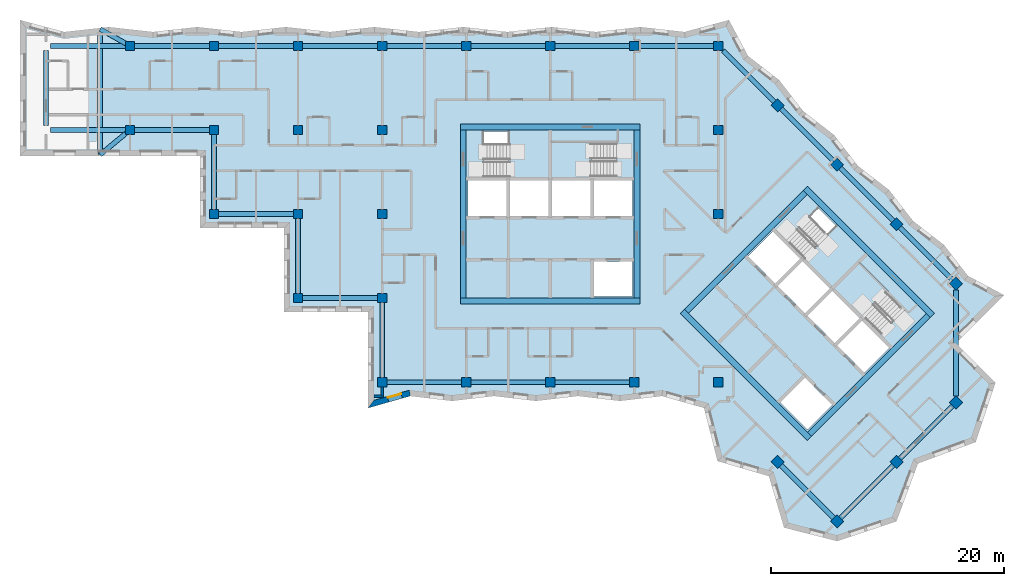
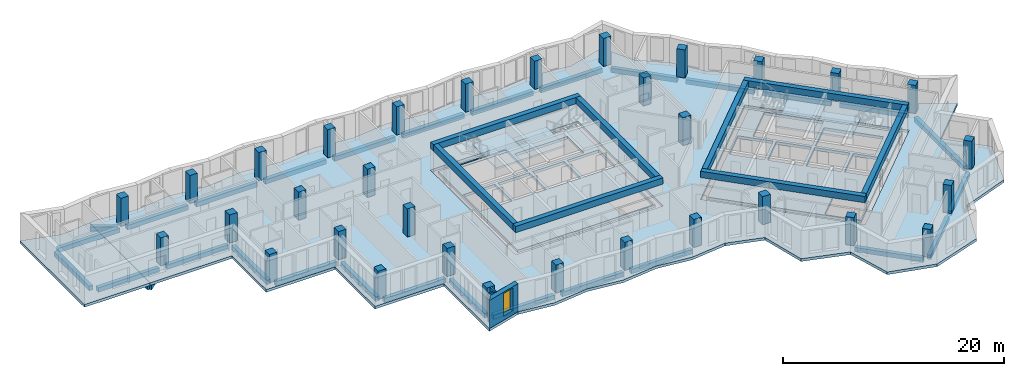
# One storey, part 1 of 13: 38 beams, 32 columns, 8 slabs, 3 walls, 1 window, 17 openings, 4 elements without a shape of their own.
"""IFC4 building model written with IfcOpenShell, lengths in metres."""

from ifc_helpers import new_model, si_unit, direction, frame, frame_2d, origin, origin_2d, place, context, subcontext, project, spatial, polyline, rectangle, outline, extrude, material, layer, layer_set, material_profile, profile_set, type_object, element, fill, aggregate, save


model = new_model("IFC4")

# Units and contexts
model_context = context("Model", 3, precision=1e-05, world=origin(), true_north=direction((0.0, 1.0)))
body_context = subcontext(model_context, "Body", "Model", "MODEL_VIEW")
ifc_project = project(units=[si_unit("LENGTHUNIT", "METRE"), si_unit("AREAUNIT", "SQUARE_METRE"), si_unit("VOLUMEUNIT", "CUBIC_METRE"), si_unit("PLANEANGLEUNIT", "RADIAN"), si_unit("MASSUNIT", "GRAM", prefix="KILO")], contexts=[model_context])

# Site, building, storey
site_placement = place(None, origin())
site = spatial("IfcSite", under=ifc_project, at=site_placement, CompositionType="ELEMENT")
building_placement = place(site_placement, origin())
building = spatial("IfcBuilding", under=site, at=building_placement, Name="Windrow Commons", CompositionType="ELEMENT")
storey_placement = place(building_placement, frame((0.0, 0.0, 203.2)))
storey = spatial("IfcBuildingStorey", under=building, at=storey_placement, Name="L55", CompositionType="ELEMENT", Elevation=203.2)

# Columns
ifc_material_1 = material(Name="Concrete C50/60", Category="concrete")
ifc_material_profile_1 = material_profile(ifc_material_1, rectangle(XDim=0.8, YDim=0.8, at=origin_2d()))
ifc_profile_set_1 = profile_set([ifc_material_profile_1], Name="Concrete C50/60")
column_type = type_object("IfcColumnType", Name="RC COLUMN 800x800 C50/60", PredefinedType="COLUMN", material=ifc_profile_set_1)
for number, where, z_axis, x_axis, name in (
    (1, (28.8, 64.8, 0.0), (0.0, 0.0, 1.0), (1.0, 0.0, 0.0), "C-Z4-05I"),
    (2, (28.8, 72.0, 0.0), (0.0, 0.0, 1.0), (1.0, 0.0, 0.0), "C-Z4-05J"),
    (3, (36.0, 57.6, 0.0), (0.0, 0.0, 1.0), (1.0, 0.0, 0.0), "C-Z4-06H"),
    (4, (36.0, 64.8, 0.0), (0.0, 0.0, 1.0), (1.0, 0.0, 0.0), "C-Z4-06I"),
    (5, (36.0, 72.0, 0.0), (0.0, 0.0, 1.0), (1.0, 0.0, 0.0), "C-Z4-06J"),
    (6, (43.2, 50.4, 0.0), (0.0, 0.0, 1.0), (1.0, 0.0, 0.0), "C-Z4-07G"),
    (7, (43.2, 57.6, 0.0), (0.0, 0.0, 1.0), (1.0, 0.0, 0.0), "C-Z4-07H"),
    (8, (43.2, 64.8, 0.0), (0.0, 0.0, 1.0), (1.0, 0.0, 0.0), "C-Z4-07I"),
    (9, (43.2, 72.0, 0.0), (0.0, 0.0, 1.0), (1.0, 0.0, 0.0), "C-Z4-07J"),
    (10, (50.4, 43.2, 0.0), (0.0, 0.0, 1.0), (1.0, 0.0, 0.0), "C-Z4-08F"),
    (11, (50.4, 50.4, 0.0), (0.0, 0.0, 1.0), (1.0, 0.0, 0.0), "C-Z4-08G"),
    (12, (50.4, 57.6, 0.0), (0.0, 0.0, 1.0), (1.0, 0.0, 0.0), "C-Z4-08H"),
    (13, (50.4, 64.8, 0.0), (0.0, 0.0, 1.0), (1.0, 0.0, 0.0), "C-Z4-08I"),
    (14, (50.4, 72.0, 0.0), (0.0, 0.0, 1.0), (1.0, 0.0, 0.0), "C-Z4-08J"),
    (15, (57.6, 43.2, 0.0), (0.0, 0.0, 1.0), (1.0, 0.0, 0.0), "C-Z4-09F"),
    (16, (57.6, 72.0, 0.0), (0.0, 0.0, 1.0), (1.0, 0.0, 0.0), "C-Z4-09J"),
    (17, (64.8, 43.2, 0.0), (0.0, 0.0, 1.0), (1.0, 0.0, 0.0), "C-Z4-10F"),
    (18, (64.8, 72.0, 0.0), (0.0, 0.0, 1.0), (1.0, 0.0, 0.0), "C-Z4-10J"),
    (19, (72.0, 43.2, 0.0), (0.0, 0.0, 1.0), (1.0, 0.0, 0.0), "C-Z4-11F"),
    (20, (72.0, 72.0, 0.0), (0.0, 0.0, 1.0), (1.0, 0.0, 0.0), "C-Z4-11J"),
    (21, (79.2, 43.2, 0.0), (0.0, 0.0, 1.0), (1.0, 0.0, 0.0), "C-Z4-12F"),
    (22, (79.2, 57.6, 0.0), (0.0, 0.0, 1.0), (1.0, 0.0, 0.0), "C-Z4-12H"),
    (23, (79.2, 64.8, 0.0), (0.0, 0.0, 1.0), (1.0, 0.0, 0.0), "C-Z4-12I"),
    (24, (79.2, 72.0, 0.0), (0.0, 0.0, 1.0), (1.0, 0.0, 0.0), "C-Z4-12J"),
    (25, (84.2912, 66.9088, 0.0), (0.0, 0.0, 1.0), (0.7071067812, -0.7071067812, 0.0), "C-Z4-P2Q"),
    (26, (89.3823, 61.8177, 0.0), (0.0, 0.0, 1.0), (0.7071067812, -0.7071067812, 0.0), "C-Z4-P3Q"),
    (27, (94.4735, 56.7265, 0.0), (0.0, 0.0, 1.0), (0.7071067812, -0.7071067812, 0.0), "C-Z4-P4Q"),
    (28, (99.5647, 51.6353, 0.0), (0.0, 0.0, 1.0), (0.7071067812, -0.7071067812, 0.0), "C-Z4-P5Q"),
    (29, (84.2912, 36.3618, 0.0), (0.0, 0.0, 1.0), (0.7071067812, -0.7071067812, 0.0), "C-Z4-P5T"),
    (30, (99.5647, 41.453, 0.0), (0.0, 0.0, 1.0), (0.7071067812, -0.7071067812, 0.0), "C-Z4-P6R"),
    (31, (94.4735, 36.3618, 0.0), (0.0, 0.0, 1.0), (0.7071067812, -0.7071067812, 0.0), "C-Z4-P6S"),
    (32, (89.3823, 31.2706, 0.0), (0.0, 0.0, 1.0), (0.7071067812, -0.7071067812, 0.0), "C-Z4-P6T"),
):
    element("IfcColumn", number, at=place(storey_placement, frame(where, z_axis=z_axis, x_axis=x_axis)), inside=storey, type_object=column_type, Name=name, PredefinedType="COLUMN", context=body_context, shape_type="SweptSolid", body=[
        extrude(rectangle(XDim=0.8, YDim=0.8, at=origin_2d()), origin(), (0.0, 0.0, 1.0), 3.1),
    ])

# Beams
ifc_material_2 = material(Name="Concrete C40/50", Category="concrete")
ifc_material_profile_2 = material_profile(ifc_material_2, rectangle(XDim=0.5, YDim=0.7, at=origin_2d()))
ifc_profile_set_2 = profile_set([ifc_material_profile_2], Name="Concrete C40/50")
beam_type_1 = type_object("IfcBeamType", Name="RC COUPLING BEAM 500x700 C40/50", PredefinedType="LINTEL", material=ifc_profile_set_2)
for number, where, z_axis, x_axis, name in (
    (33, (57.1, 50.15, 2.75), (1.0, 0.0, 0.0), (0.0, 1.0, 0.0), "Core A coupling beam outer-S"),
    (34, (57.1, 65.05, 2.75), (1.0, 0.0, 0.0), (0.0, 1.0, 0.0), "Core A coupling beam outer-N"),
):
    element("IfcBeam", number, at=place(storey_placement, frame(where, z_axis=z_axis, x_axis=x_axis)), inside=storey, type_object=beam_type_1, Name=name, PredefinedType="LINTEL", context=body_context, shape_type="SweptSolid", body=[
        extrude(rectangle(XDim=0.5, YDim=0.7, at=origin_2d()), origin(), (0.0, 0.0, 1.0), 15.4),
    ])
for number, where, z_axis, x_axis, name in (
    (35, (57.35, 50.4, 2.75), (0.0, 1.0, 0.0), (-1.0, 0.0, 0.0), "Core A coupling beam outer-W"),
    (36, (72.25, 50.4, 2.75), (0.0, 1.0, 0.0), (-1.0, 0.0, 0.0), "Core A coupling beam outer-E"),
):
    element("IfcBeam", number, at=place(storey_placement, frame(where, z_axis=z_axis, x_axis=x_axis)), inside=storey, type_object=beam_type_1, Name=name, PredefinedType="LINTEL", context=body_context, shape_type="SweptSolid", body=[
        extrude(rectangle(XDim=0.5, YDim=0.7, at=origin_2d()), origin(), (0.0, 0.0, 1.0), 14.4),
    ])
for number, where, z_axis, x_axis, name in (
    (37, (76.1241, 49.2665, 2.75), (0.7071067812, -0.7071067812, 0.0), (0.7071067812, 0.7071067812, 0.0), "Core B coupling beam outer-S"),
    (38, (86.66, 59.8024, 2.75), (0.7071067812, -0.7071067812, 0.0), (0.7071067812, 0.7071067812, 0.0), "Core B coupling beam outer-N"),
):
    element("IfcBeam", number, at=place(storey_placement, frame(where, z_axis=z_axis, x_axis=x_axis)), inside=storey, type_object=beam_type_1, Name=name, PredefinedType="LINTEL", context=body_context, shape_type="SweptSolid", body=[
        extrude(rectangle(XDim=0.5, YDim=0.7, at=origin_2d()), origin(), (0.0, 0.0, 1.0), 15.3999),
    ])
for number, where, z_axis, x_axis, name in (
    (39, (76.4776, 49.2665, 2.75), (0.7071067812, 0.7071067812, 0.0), (-0.7071067812, 0.7071067812, 0.0), "Core B coupling beam outer-W"),
    (40, (87.0135, 38.7306, 2.75), (0.7071067812, 0.7071067812, 0.0), (-0.7071067812, 0.7071067812, 0.0), "Core B coupling beam outer-E"),
):
    element("IfcBeam", number, at=place(storey_placement, frame(where, z_axis=z_axis, x_axis=x_axis)), inside=storey, type_object=beam_type_1, Name=name, PredefinedType="LINTEL", context=body_context, shape_type="SweptSolid", body=[
        extrude(rectangle(XDim=0.5, YDim=0.7, at=origin_2d()), origin(), (0.0, 0.0, 1.0), 14.4001),
    ])
ifc_material_3 = material(Name="Concrete C40/50", Category="concrete")
ifc_material_profile_3 = material_profile(ifc_material_3, rectangle(XDim=0.4, YDim=0.5, at=origin_2d()))
ifc_profile_set_3 = profile_set([ifc_material_profile_3], Name="Concrete C40/50")
beam_type_2 = type_object("IfcBeamType", Name="RC EDGE BEAM 400x500 C40/50", PredefinedType="SPANDREL", material=ifc_profile_set_3)
beam_1_placement = place(storey_placement, frame((26.249, 73.4409, -0.55), z_axis=(0.0, -1.0, 0.0), x_axis=(1.0, 0.0, 0.0)))
element("IfcBeam", 41, at=beam_1_placement, inside=storey, type_object=beam_type_2, Name="Terrace base beam TR-L55-1", PredefinedType="SPANDREL", context=body_context, shape_type="SweptSolid", body=[
    extrude(rectangle(XDim=0.4, YDim=0.5, at=origin_2d()), origin(), (0.0, 0.0, 1.0), 10.7619),
])
beam_2_placement = place(storey_placement, frame((28.4435, 72.2013, -0.55), z_axis=(-0.8706936029, 0.4918258328, 0.0), x_axis=(-0.4918258328, -0.8706936029, 0.0)))
element("IfcBeam", 42, at=beam_2_placement, inside=storey, type_object=beam_type_2, Name="Terrace base bracket beam TR-L55-1.1", PredefinedType="SPANDREL", context=body_context, shape_type="SweptSolid", body=[
    extrude(rectangle(XDim=0.4, YDim=0.5, at=origin_2d()), origin(), (0.0, 0.0, 1.0), 2.5204),
])
beam_3_placement = place(storey_placement, frame((28.4384, 64.4994, -0.55), z_axis=(-0.7689289777, -0.6393342062, 0.0), x_axis=(0.6393342062, -0.7689289777, 0.0)))
element("IfcBeam", 43, at=beam_3_placement, inside=storey, type_object=beam_type_2, Name="Terrace base bracket beam TR-L55-1.2", PredefinedType="SPANDREL", context=body_context, shape_type="SweptSolid", body=[
    extrude(rectangle(XDim=0.4, YDim=0.5, at=origin_2d()), origin(), (0.0, 0.0, 1.0), 2.8473),
])
for number, where, z_axis, x_axis, name in (
    (44, (57.2, 43.2, -0.55), (-1.0, 0.0, 0.0), (0.0, -1.0, 0.0), "Edge beam L55 001"),
    (45, (50.4, 43.6, -0.55), (0.0, 1.0, 0.0), (-1.0, 0.0, 0.0), "Edge beam L55 002"),
    (46, (50.0, 50.4, -0.55), (-1.0, 0.0, 0.0), (0.0, -1.0, 0.0), "Edge beam L55 003"),
    (47, (43.2, 50.8, -0.55), (0.0, 1.0, 0.0), (-1.0, 0.0, 0.0), "Edge beam L55 004"),
    (48, (42.8, 57.6, -0.55), (-1.0, 0.0, 0.0), (0.0, -1.0, 0.0), "Edge beam L55 005"),
    (49, (36.0, 58.0, -0.55), (0.0, 1.0, 0.0), (-1.0, 0.0, 0.0), "Edge beam L55 006"),
    (50, (35.6, 64.8, -0.55), (-1.0, 0.0, 0.0), (0.0, -1.0, 0.0), "Edge beam L55 007"),
    (51, (28.4, 64.8, -0.55), (-1.0, 0.0, 0.0), (0.0, -1.0, 0.0), "Edge beam L55 008"),
    (52, (21.6, 65.2, -0.55), (0.0, 1.0, 0.0), (-1.0, 0.0, 0.0), "Edge beam L55 009"),
    (53, (22.0, 72.0, -0.55), (1.0, 0.0, 0.0), (0.0, 1.0, 0.0), "Edge beam L55 010"),
    (54, (29.2, 72.0, -0.55), (1.0, 0.0, 0.0), (0.0, 1.0, 0.0), "Edge beam L55 011"),
    (55, (36.4, 72.0, -0.55), (1.0, 0.0, 0.0), (0.0, 1.0, 0.0), "Edge beam L55 012"),
    (56, (43.6, 72.0, -0.55), (1.0, 0.0, 0.0), (0.0, 1.0, 0.0), "Edge beam L55 013"),
    (57, (50.8, 72.0, -0.55), (1.0, 0.0, 0.0), (0.0, 1.0, 0.0), "Edge beam L55 014"),
    (58, (58.0, 72.0, -0.55), (1.0, 0.0, 0.0), (0.0, 1.0, 0.0), "Edge beam L55 015"),
    (59, (65.2, 72.0, -0.55), (1.0, 0.0, 0.0), (0.0, 1.0, 0.0), "Edge beam L55 016"),
    (60, (72.4, 72.0, -0.55), (1.0, 0.0, 0.0), (0.0, 1.0, 0.0), "Edge beam L55 017"),
):
    element("IfcBeam", number, at=place(storey_placement, frame(where, z_axis=z_axis, x_axis=x_axis)), inside=storey, type_object=beam_type_2, Name=name, PredefinedType="SPANDREL", context=body_context, shape_type="SweptSolid", body=[
        extrude(rectangle(XDim=0.4, YDim=0.5, at=origin_2d()), origin(), (0.0, 0.0, 1.0), 6.4),
    ])
beam_4_placement = place(storey_placement, frame((79.6, 71.6, -0.55), z_axis=(0.7071067812, -0.7071067812, 0.0), x_axis=(0.7071067812, 0.7071067812, 0.0)))
element("IfcBeam", 61, at=beam_4_placement, inside=storey, type_object=beam_type_2, Name="Edge beam L55 018", PredefinedType="SPANDREL", context=body_context, shape_type="SweptSolid", body=[
    extrude(rectangle(XDim=0.4, YDim=0.5, at=origin_2d()), origin(), (0.0, 0.0, 1.0), 6.2344),
])
beam_5_placement = place(storey_placement, frame((84.574, 66.626, -0.55), z_axis=(0.7071067812, -0.7071067812, 0.0), x_axis=(0.7071067812, 0.7071067812, 0.0)))
element("IfcBeam", 62, at=beam_5_placement, inside=storey, type_object=beam_type_2, Name="Edge beam L55 019", PredefinedType="SPANDREL", context=body_context, shape_type="SweptSolid", body=[
    extrude(rectangle(XDim=0.4, YDim=0.5, at=origin_2d()), origin(), (0.0, 0.0, 1.0), 6.4),
])
for number, where, z_axis, x_axis, name in (
    (63, (89.6651, 61.5349, -0.55), (0.7071067812, -0.7071067812, 0.0), (0.7071067812, 0.7071067812, 0.0), "Edge beam L55 020"),
    (64, (94.7563, 56.4437, -0.55), (0.7071067812, -0.7071067812, 0.0), (0.7071067812, 0.7071067812, 0.0), "Edge beam L55 021"),
):
    element("IfcBeam", number, at=place(storey_placement, frame(where, z_axis=z_axis, x_axis=x_axis)), inside=storey, type_object=beam_type_2, Name=name, PredefinedType="SPANDREL", context=body_context, shape_type="SweptSolid", body=[
        extrude(rectangle(XDim=0.4, YDim=0.5, at=origin_2d()), origin(), (0.0, 0.0, 1.0), 6.4002),
    ])
beam_6_placement = place(storey_placement, frame((99.5647, 51.0696, -0.55), z_axis=(0.0, -1.0, 0.0), x_axis=(1.0, 0.0, 0.0)))
element("IfcBeam", 65, at=beam_6_placement, inside=storey, type_object=beam_type_2, Name="Edge beam L55 022", PredefinedType="SPANDREL", context=body_context, shape_type="SweptSolid", body=[
    extrude(rectangle(XDim=0.4, YDim=0.5, at=origin_2d()), origin(), (0.0, 0.0, 1.0), 9.0509),
])
for number, where, z_axis, x_axis, name in (
    (66, (99.2819, 41.1702, -0.55), (-0.7071067812, -0.7071067812, 0.0), (0.7071067812, -0.7071067812, 0.0), "Edge beam L55 023"),
    (67, (94.1907, 36.079, -0.55), (-0.7071067812, -0.7071067812, 0.0), (0.7071067812, -0.7071067812, 0.0), "Edge beam L55 024"),
):
    element("IfcBeam", number, at=place(storey_placement, frame(where, z_axis=z_axis, x_axis=x_axis)), inside=storey, type_object=beam_type_2, Name=name, PredefinedType="SPANDREL", context=body_context, shape_type="SweptSolid", body=[
        extrude(rectangle(XDim=0.4, YDim=0.5, at=origin_2d()), origin(), (0.0, 0.0, 1.0), 6.4002),
    ])
beam_7_placement = place(storey_placement, frame((89.0995, 31.5534, -0.55), z_axis=(-0.7070989688, 0.7071145935, 0.0), x_axis=(-0.7071145935, -0.7070989688, 0.0)))
element("IfcBeam", 68, at=beam_7_placement, inside=storey, type_object=beam_type_2, Name="Edge beam L55 025", PredefinedType="SPANDREL", context=body_context, shape_type="SweptSolid", body=[
    extrude(rectangle(XDim=0.4, YDim=0.5, at=origin_2d()), origin(), (0.0, 0.0, 1.0), 6.4001),
])
for number, where, z_axis, x_axis, name in (
    (69, (71.6, 43.2, -0.55), (-1.0, 0.0, 0.0), (0.0, -1.0, 0.0), "Edge beam L55 026"),
    (70, (64.4, 43.2, -0.55), (-1.0, 0.0, 0.0), (0.0, -1.0, 0.0), "Edge beam L55 027"),
):
    element("IfcBeam", number, at=place(storey_placement, frame(where, z_axis=z_axis, x_axis=x_axis)), inside=storey, type_object=beam_type_2, Name=name, PredefinedType="SPANDREL", context=body_context, shape_type="SweptSolid", body=[
        extrude(rectangle(XDim=0.4, YDim=0.5, at=origin_2d()), origin(), (0.0, 0.0, 1.0), 6.4),
    ])

# Slab, openings
ifc_material_4 = material(Name="Concrete C40/50", Category="concrete")
ifc_layer_1 = layer(ifc_material_4, 0.3)
ifc_layer_set_1 = layer_set([ifc_layer_1], Name="CORE FLOOR SLAB 300 C40/50")
slab_type_1 = type_object("IfcSlabType", Name="CORE FLOOR SLAB 300 C40/50", PredefinedType="FLOOR", material=ifc_layer_set_1)
placement_1 = place(storey_placement, frame((0.0, 0.0, -0.3)))
slab_1 = element("IfcSlab", 71, at=placement_1, inside=storey, type_object=slab_type_1, Name="S-L55-core-A", PredefinedType="FLOOR", context=body_context, shape_type="SweptSolid", body=[
    extrude(outline(polyline([(57.6, 50.4), (72.0, 50.4), (72.0, 64.8), (57.6, 64.8), (57.6, 50.4)]), holes=[polyline([(68.55, 50.55), (71.85, 50.55), (71.85, 53.55), (68.55, 53.55), (68.55, 50.55)]), polyline([(57.75, 57.45), (61.05, 57.45), (61.05, 60.45), (57.75, 60.45), (57.75, 57.45)]), polyline([(61.35, 57.45), (64.65, 57.45), (64.65, 60.45), (61.35, 60.45), (61.35, 57.45)]), polyline([(64.95, 57.45), (68.25, 57.45), (68.25, 60.45), (64.95, 60.45), (64.95, 57.45)]), polyline([(68.55, 57.45), (71.85, 57.45), (71.85, 60.45), (68.55, 60.45), (68.55, 57.45)]), polyline([(59.1, 60.75), (64.65, 60.75), (64.65, 64.65), (59.1, 64.65), (59.1, 60.75)]), polyline([(64.95, 60.75), (70.5, 60.75), (70.5, 63.705), (64.95, 63.705), (64.95, 60.75)])]), origin(), (0.0, 0.0, 1.0), 0.3),
])
opening_1_placement = place(placement_1, origin())
element("IfcOpeningElement", 72, at=opening_1_placement, cuts=slab_1, Name="Slab opening S-L55-core-A 1", PredefinedType="OPENING", context=body_context, shape_type="SweptSolid", body=[
    extrude(outline(polyline([(68.555, 50.555), (68.555, 53.545), (71.845, 53.545), (71.845, 50.555), (68.555, 50.555)])), origin(), (0.0, 0.0, 1.0), 0.3),
])
opening_2_placement = place(placement_1, origin())
element("IfcOpeningElement", 73, at=opening_2_placement, cuts=slab_1, Name="Slab opening S-L55-core-A 2", PredefinedType="OPENING", context=body_context, shape_type="SweptSolid", body=[
    extrude(outline(polyline([(57.755, 57.455), (57.755, 60.445), (61.045, 60.445), (61.045, 57.455), (57.755, 57.455)])), origin(), (0.0, 0.0, 1.0), 0.3),
])
opening_3_placement = place(placement_1, origin())
element("IfcOpeningElement", 74, at=opening_3_placement, cuts=slab_1, Name="Slab opening S-L55-core-A 3", PredefinedType="OPENING", context=body_context, shape_type="SweptSolid", body=[
    extrude(outline(polyline([(61.355, 57.455), (61.355, 60.445), (64.645, 60.445), (64.645, 57.455), (61.355, 57.455)])), origin(), (0.0, 0.0, 1.0), 0.3),
])
opening_4_placement = place(placement_1, origin())
element("IfcOpeningElement", 75, at=opening_4_placement, cuts=slab_1, Name="Slab opening S-L55-core-A 4", PredefinedType="OPENING", context=body_context, shape_type="SweptSolid", body=[
    extrude(outline(polyline([(64.955, 57.455), (64.955, 60.445), (68.245, 60.445), (68.245, 57.455), (64.955, 57.455)])), origin(), (0.0, 0.0, 1.0), 0.3),
])
opening_5_placement = place(placement_1, origin())
element("IfcOpeningElement", 76, at=opening_5_placement, cuts=slab_1, Name="Slab opening S-L55-core-A 5", PredefinedType="OPENING", context=body_context, shape_type="SweptSolid", body=[
    extrude(outline(polyline([(68.555, 57.455), (68.555, 60.445), (71.845, 60.445), (71.845, 57.455), (68.555, 57.455)])), origin(), (0.0, 0.0, 1.0), 0.3),
])
opening_6_placement = place(placement_1, origin())
element("IfcOpeningElement", 77, at=opening_6_placement, cuts=slab_1, Name="Slab opening S-L55-core-A 6", PredefinedType="OPENING", context=body_context, shape_type="SweptSolid", body=[
    extrude(outline(polyline([(59.105, 60.755), (59.105, 64.645), (64.645, 64.645), (64.645, 60.755), (59.105, 60.755)])), origin(), (0.0, 0.0, 1.0), 0.3),
])
opening_7_placement = place(placement_1, origin())
element("IfcOpeningElement", 78, at=opening_7_placement, cuts=slab_1, Name="Slab opening S-L55-core-A 7", PredefinedType="OPENING", context=body_context, shape_type="SweptSolid", body=[
    extrude(outline(polyline([(64.955, 60.755), (64.955, 63.7), (70.495, 63.7), (70.495, 60.755), (64.955, 60.755)])), origin(), (0.0, 0.0, 1.0), 0.3),
])

slab_2 = element("IfcSlab", 79, at=placement_1, inside=storey, type_object=slab_type_1, Name="S-L55-core-B", PredefinedType="FLOOR", context=body_context, shape_type="SweptSolid", body=[
    extrude(outline(polyline([(76.6544, 49.0897), (86.8368, 38.9074), (97.0191, 49.0897), (86.8368, 59.2721), (76.6544, 49.0897)]), holes=[polyline([(84.5033, 41.453), (86.8368, 39.1195), (88.9581, 41.2409), (86.6246, 43.5743), (84.5033, 41.453)]), polyline([(81.7456, 53.9688), (84.079, 51.6353), (86.2004, 53.7566), (83.8669, 56.0901), (81.7456, 53.9688)]), polyline([(84.2912, 51.4232), (86.6246, 49.0897), (88.7459, 51.2111), (86.4125, 53.5445), (84.2912, 51.4232)]), polyline([(86.8368, 48.8776), (89.1702, 46.5442), (91.2915, 48.6655), (88.9581, 50.9989), (86.8368, 48.8776)]), polyline([(89.3823, 46.332), (91.7158, 43.9986), (93.8371, 46.1199), (91.5037, 48.4533), (89.3823, 46.332)]), polyline([(85.0336, 55.3476), (88.9581, 51.4232), (91.7158, 54.1809), (87.7913, 58.1054), (85.0336, 55.3476)]), polyline([(89.1702, 51.2111), (93.0946, 47.2866), (95.1841, 49.3761), (91.2597, 53.3006), (89.1702, 51.2111)])]), origin(), (0.0, 0.0, 1.0), 0.3),
])
opening_8_placement = place(placement_1, origin())
element("IfcOpeningElement", 80, at=opening_8_placement, cuts=slab_2, Name="Slab opening S-L55-core-B 1", PredefinedType="OPENING", context=body_context, shape_type="SweptSolid", body=[
    extrude(outline(polyline([(84.5104, 41.453), (86.6246, 43.5672), (88.951, 41.2409), (86.8368, 39.1266), (84.5104, 41.453)])), origin(), (0.0, 0.0, 1.0), 0.3),
])
opening_9_placement = place(placement_1, origin())
element("IfcOpeningElement", 81, at=opening_9_placement, cuts=slab_2, Name="Slab opening S-L55-core-B 2", PredefinedType="OPENING", context=body_context, shape_type="SweptSolid", body=[
    extrude(outline(polyline([(81.7527, 53.9688), (83.8669, 56.083), (86.1933, 53.7566), (84.079, 51.6424), (81.7527, 53.9688)])), origin(), (0.0, 0.0, 1.0), 0.3),
])
opening_10_placement = place(placement_1, origin())
element("IfcOpeningElement", 82, at=opening_10_placement, cuts=slab_2, Name="Slab opening S-L55-core-B 3", PredefinedType="OPENING", context=body_context, shape_type="SweptSolid", body=[
    extrude(outline(polyline([(84.2983, 51.4232), (86.4125, 53.5374), (88.7388, 51.2111), (86.6246, 49.0968), (84.2983, 51.4232)])), origin(), (0.0, 0.0, 1.0), 0.3),
])
opening_11_placement = place(placement_1, origin())
element("IfcOpeningElement", 83, at=opening_11_placement, cuts=slab_2, Name="Slab opening S-L55-core-B 4", PredefinedType="OPENING", context=body_context, shape_type="SweptSolid", body=[
    extrude(outline(polyline([(86.8439, 48.8776), (88.9581, 50.9918), (91.2844, 48.6655), (89.1702, 46.5513), (86.8439, 48.8776)])), origin(), (0.0, 0.0, 1.0), 0.3),
])
opening_12_placement = place(placement_1, origin())
element("IfcOpeningElement", 84, at=opening_12_placement, cuts=slab_2, Name="Slab opening S-L55-core-B 5", PredefinedType="OPENING", context=body_context, shape_type="SweptSolid", body=[
    extrude(outline(polyline([(89.3894, 46.332), (91.5037, 48.4462), (93.83, 46.1199), (91.7158, 44.0057), (89.3894, 46.332)])), origin(), (0.0, 0.0, 1.0), 0.3),
])
opening_13_placement = place(placement_1, origin())
element("IfcOpeningElement", 85, at=opening_13_placement, cuts=slab_2, Name="Slab opening S-L55-core-B 6", PredefinedType="OPENING", context=body_context, shape_type="SweptSolid", body=[
    extrude(outline(polyline([(85.0407, 55.3476), (87.7913, 58.0983), (91.7087, 54.1809), (88.9581, 51.4303), (85.0407, 55.3476)])), origin(), (0.0, 0.0, 1.0), 0.3),
])
opening_14_placement = place(placement_1, origin())
element("IfcOpeningElement", 86, at=opening_14_placement, cuts=slab_2, Name="Slab opening S-L55-core-B 7", PredefinedType="OPENING", context=body_context, shape_type="SweptSolid", body=[
    extrude(outline(polyline([(89.1773, 51.2111), (91.2597, 53.2935), (95.177, 49.3761), (93.0946, 47.2937), (89.1773, 51.2111)])), origin(), (0.0, 0.0, 1.0), 0.3),
])

# Stair, slab
ifc_material_5 = material(Name="Concrete C40/50", Category="concrete")
stair_type = type_object("IfcStairType", Name="Core stair", PredefinedType="HALF_TURN_STAIR", material=ifc_material_5)
placement_2 = place(storey_placement, origin())
stair_1 = element("IfcStair", 87, at=placement_2, inside=storey, type_object=stair_type, Name="L55 Exit stair A1 core A", PredefinedType="HALF_TURN_STAIR")
ifc_material_6 = material(Name="Concrete C40/50", Category="concrete")
ifc_layer_2 = layer(ifc_material_6, 0.2)
ifc_layer_set_2 = layer_set([ifc_layer_2], Name="Core stair landing")
slab_type_2 = type_object("IfcSlabType", Name="Core stair landing", PredefinedType="LANDING", material=ifc_layer_set_2)
placement_3 = place(storey_placement, frame((0.0, 0.0, 1.5)))
slab_3 = element("IfcSlab", 88, at=placement_3, type_object=slab_type_2, Name="ST-A1 landing 1", PredefinedType="LANDING", context=body_context, shape_type="SweptSolid", body=[
    extrude(outline(polyline([(61.22, 60.5), (64.8, 60.5), (64.8, 64.9), (61.22, 64.9), (61.22, 60.5)])), origin(), (0.0, 0.0, 1.0), 0.2),
])
aggregate(stair_1, [slab_3])

stair_2 = element("IfcStair", 89, at=placement_2, inside=storey, type_object=stair_type, Name="L55 Exit stair A2 core A", PredefinedType="HALF_TURN_STAIR")
slab_4 = element("IfcSlab", 90, at=placement_3, type_object=slab_type_2, Name="ST-A2 landing 1", PredefinedType="LANDING", context=body_context, shape_type="SweptSolid", body=[
    extrude(outline(polyline([(64.8, 60.5), (68.38, 60.5), (68.38, 63.855), (64.8, 63.855), (64.8, 60.5)])), origin(), (0.0, 0.0, 1.0), 0.2),
])
aggregate(stair_2, [slab_4])

stair_3 = element("IfcStair", 91, at=placement_2, inside=storey, type_object=stair_type, Name="L55 Exit stair B1 core B", PredefinedType="HALF_TURN_STAIR")
slab_5 = element("IfcSlab", 92, at=placement_3, type_object=slab_type_2, Name="ST-B1 landing 1", PredefinedType="LANDING", context=body_context, shape_type="SweptSolid", body=[
    extrude(outline(polyline([(86.3559, 53.6718), (88.8874, 51.1403), (91.9986, 54.2516), (89.4672, 56.7831), (86.3559, 53.6718)])), origin(), (0.0, 0.0, 1.0), 0.2),
])
aggregate(stair_3, [slab_5])

stair_4 = element("IfcStair", 93, at=placement_2, inside=storey, type_object=stair_type, Name="L55 Exit stair B2 core B", PredefinedType="HALF_TURN_STAIR")
slab_6 = element("IfcSlab", 94, at=placement_3, type_object=slab_type_2, Name="ST-B2 landing 1", PredefinedType="LANDING", context=body_context, shape_type="SweptSolid", body=[
    extrude(outline(polyline([(88.8874, 51.1403), (91.4188, 48.6089), (93.7911, 50.9812), (91.2597, 53.5127), (88.8874, 51.1403)])), origin(), (0.0, 0.0, 1.0), 0.2),
])
aggregate(stair_4, [slab_6])

# Slab, openings
ifc_material_7 = material(Name="Concrete C40/50", Category="concrete")
ifc_layer_3 = layer(ifc_material_7, 0.3)
ifc_layer_set_3 = layer_set([ifc_layer_3], Name="FLOOR SLAB 300 C40/50")
slab_type_3 = type_object("IfcSlabType", Name="FLOOR SLAB 300 C40/50", PredefinedType="FLOOR", material=ifc_layer_set_3)
slab_7 = element("IfcSlab", 95, at=placement_1, inside=storey, type_object=slab_type_3, Name="S-L55-floor", PredefinedType="FLOOR", context=body_context, shape_type="SweptSolid", body=[
    extrude(outline(polyline([(77.9769, 40.979), (79.1312, 36.4306), (83.5382, 35.1349), (84.8339, 30.7279), (89.3823, 29.5736), (94.4735, 31.2706), (96.312, 36.2204), (101.2617, 38.0588), (102.9588, 43.15), (99.5647, 46.5442), (103.6808, 50.6603), (100.6027, 52.2944), (98.5443, 54.9481), (95.8906, 57.0065), (93.8322, 59.6603), (91.1784, 61.7187), (89.12, 64.3724), (86.4663, 66.4308), (84.4079, 69.0846), (81.7541, 71.143), (80.12, 74.221), (76.3237, 73.2), (72.5274, 73.621), (68.7311, 73.2), (64.9348, 73.621), (61.1384, 73.2), (57.3421, 73.621), (53.5458, 73.2), (49.7495, 73.621), (45.9532, 73.2), (42.1569, 73.621), (38.3606, 73.2), (34.5643, 73.621), (30.7679, 73.2), (26.9716, 73.621), (26.249, 73.5409), (26.249, 62.579), (34.8, 62.579), (34.8, 56.4), (42.0, 56.4), (42.0, 49.2), (49.2, 49.2), (49.2, 40.979), (52.7971, 42.0), (56.3942, 41.579), (59.9913, 42.0), (63.5885, 41.579), (67.1856, 42.0), (70.7827, 41.579), (74.3798, 42.0), (77.9769, 40.979)]), holes=[polyline([(97.7262, 49.0897), (86.8368, 38.2003), (75.9473, 49.0897), (86.8368, 59.9792), (97.7262, 49.0897)]), polyline([(72.5, 65.3), (72.5, 49.9), (57.1, 49.9), (57.1, 65.3), (72.5, 65.3)])]), origin(), (0.0, 0.0, 1.0), 0.3),
])
opening_15_placement = place(placement_1, origin())
element("IfcOpeningElement", 96, at=opening_15_placement, cuts=slab_7, Name="Slab opening S-L55-floor 1", PredefinedType="OPENING", context=body_context, shape_type="SweptSolid", body=[
    extrude(outline(polyline([(97.7191, 49.0897), (86.8368, 38.2074), (75.9544, 49.0897), (86.8368, 59.9721), (97.7191, 49.0897)])), origin(), (0.0, 0.0, 1.0), 0.3),
])
opening_16_placement = place(placement_1, origin())
element("IfcOpeningElement", 97, at=opening_16_placement, cuts=slab_7, Name="Slab opening S-L55-floor 2", PredefinedType="OPENING", context=body_context, shape_type="SweptSolid", body=[
    extrude(outline(polyline([(72.495, 65.295), (72.495, 49.905), (57.105, 49.905), (57.105, 65.295), (72.495, 65.295)])), origin(), (0.0, 0.0, 1.0), 0.3),
])

# Slab
ifc_material_8 = material(Name="Concrete C40/50", Category="concrete")
ifc_layer_4 = layer(ifc_material_8, 0.3)
ifc_layer_set_4 = layer_set([ifc_layer_4], Name="TERRACE SLAB 300 C40/50")
slab_type_4 = type_object("IfcSlabType", Name="TERRACE SLAB 300 C40/50", PredefinedType="FLOOR", material=ifc_layer_set_4)
element("IfcSlab", 98, at=placement_1, inside=storey, type_object=slab_type_4, Name="Terrace slab TR-L55-1", PredefinedType="FLOOR", context=body_context, shape_type="SweptSolid", body=[
    extrude(outline(polyline([(19.379, 74.221), (19.379, 62.579), (26.249, 62.579), (26.249, 73.5409), (23.1753, 73.2), (19.379, 74.221)])), origin(), (0.0, 0.0, 1.0), 0.3),
])

# Wall, opening, window
ifc_material_9 = material(Name="Brick masonry, red clay brick", Category="masonry")
ifc_layer_5 = layer(ifc_material_9, 0.5)
ifc_layer_set_5 = layer_set([ifc_layer_5], Name="Brick facade wall 500")
wall_type_1 = type_object("IfcWallType", Name="Brick facade wall 500", PredefinedType="SOLIDWALL", material=ifc_layer_set_5)
wall_1_placement = place(storey_placement, frame((49.45, 41.3098, 0.0), z_axis=(0.0, 0.0, 1.0), x_axis=(0.9619950248, 0.2730669739, 0.0)))
wall_1 = element("IfcWall", 99, at=wall_1_placement, inside=storey, type_object=wall_type_1, Name="Brick facade wall L55 40", PredefinedType="SOLIDWALL", context=body_context, shape_type="SweptSolid", body=[
    extrude(outline(polyline([(-0.3308, -0.25), (3.4084, -0.25), (3.5079, 0.25), (0.3308, 0.25), (-0.3308, -0.25)])), origin(), (0.0, 0.0, 1.0), 3.1),
])
opening_17_placement = place(wall_1_placement, frame((1.5228, 0.0, 0.45)))
opening_17 = element("IfcOpeningElement", 100, at=opening_17_placement, cuts=wall_1, Name="Opening W7E", PredefinedType="OPENING", context=body_context, shape_type="SweptSolid", body=[
    extrude(rectangle(XDim=1.2, YDim=2.5, at=frame_2d((0.6, 1.25))), frame((0.0, 0.26, 0.0), z_axis=(0.0, -1.0, 0.0), x_axis=(1.0, 0.0, 0.0)), (0.0, 0.0, 1.0), 0.52),
])
ifc_material_10 = material(Name="Clear float glass in anodised aluminium frame", Category="aluminium")
window_type = type_object("IfcWindowType", Name="Window W7 notch 1200x2500", PartitioningType="SINGLE_PANEL", PredefinedType="WINDOW", material=ifc_material_10)
window_placement = place(opening_17_placement, origin())
window = element("IfcWindow", 101, at=window_placement, inside=storey, type_object=window_type, Name="Window L55 40.1", OverallHeight=2.5, OverallWidth=1.2, PartitioningType="SINGLE_PANEL", PredefinedType="WINDOW", context=body_context, shape_type="SweptSolid", body=[
    extrude(rectangle(XDim=1.2, YDim=2.5, at=frame_2d((0.6, 1.25))), frame((0.0, 0.18, 0.0), z_axis=(0.0, -1.0, 0.0), x_axis=(1.0, 0.0, 0.0)), (0.0, 0.0, 1.0), 0.06),
])
fill(opening_17, window)

# Walls
ifc_material_11 = material(Name="Blockwork partition", Category="masonry")
ifc_layer_6 = layer(ifc_material_11, 0.2)
ifc_layer_set_6 = layer_set([ifc_layer_6], Name="IW-PARTY-200")
wall_type_2 = type_object("IfcWallType", Name="IW-PARTY-200", PredefinedType="PARTITIONING", material=ifc_layer_set_6)
wall_2_placement = place(storey_placement, frame((50.4, 41.8394, 0.0), z_axis=(0.0, 0.0, 1.0), x_axis=(0.0, 1.0, 0.0)))
element("IfcWall", 102, at=wall_2_placement, inside=storey, type_object=wall_type_2, Name="W-L55-W148", PredefinedType="PARTITIONING", context=body_context, shape_type="SweptSolid", body=[
    extrude(rectangle(XDim=0.9606, YDim=0.2, at=frame_2d((0.4803, 0.0))), origin(), (0.0, 0.0, 1.0), 3.1),
])
wall_3_placement = place(storey_placement, frame((49.7, 42.0, 0.0), z_axis=(0.0, 0.0, 1.0), x_axis=(1.0, 0.0, 0.0)))
element("IfcWall", 103, at=wall_3_placement, inside=storey, type_object=wall_type_2, Name="W-L55-W155", PredefinedType="PARTITIONING", context=body_context, shape_type="SweptSolid", body=[
    extrude(rectangle(XDim=0.7, YDim=0.2, at=frame_2d((0.35, 0.0))), origin(), (0.0, 0.0, 1.0), 3.1),
])

save(model, "model.ifc")
